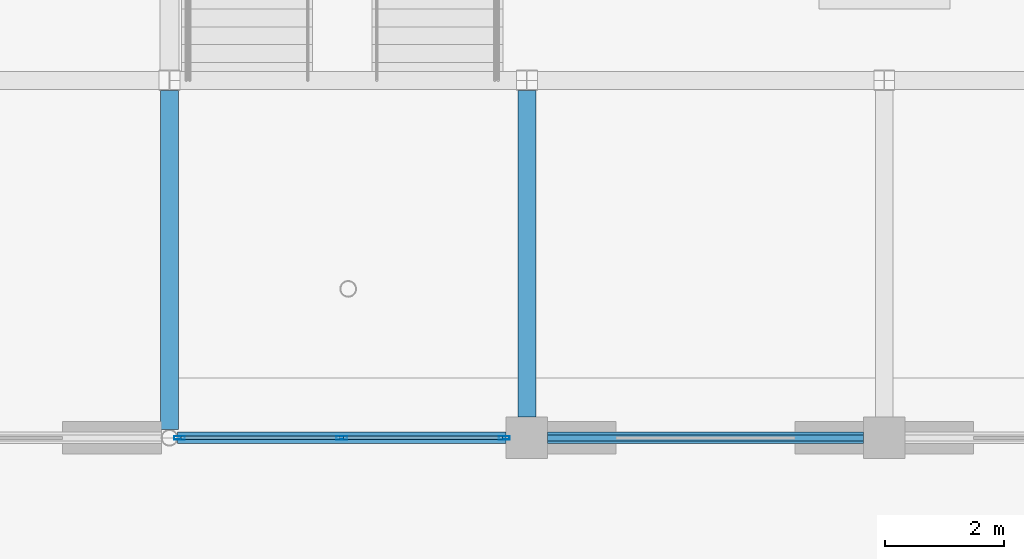
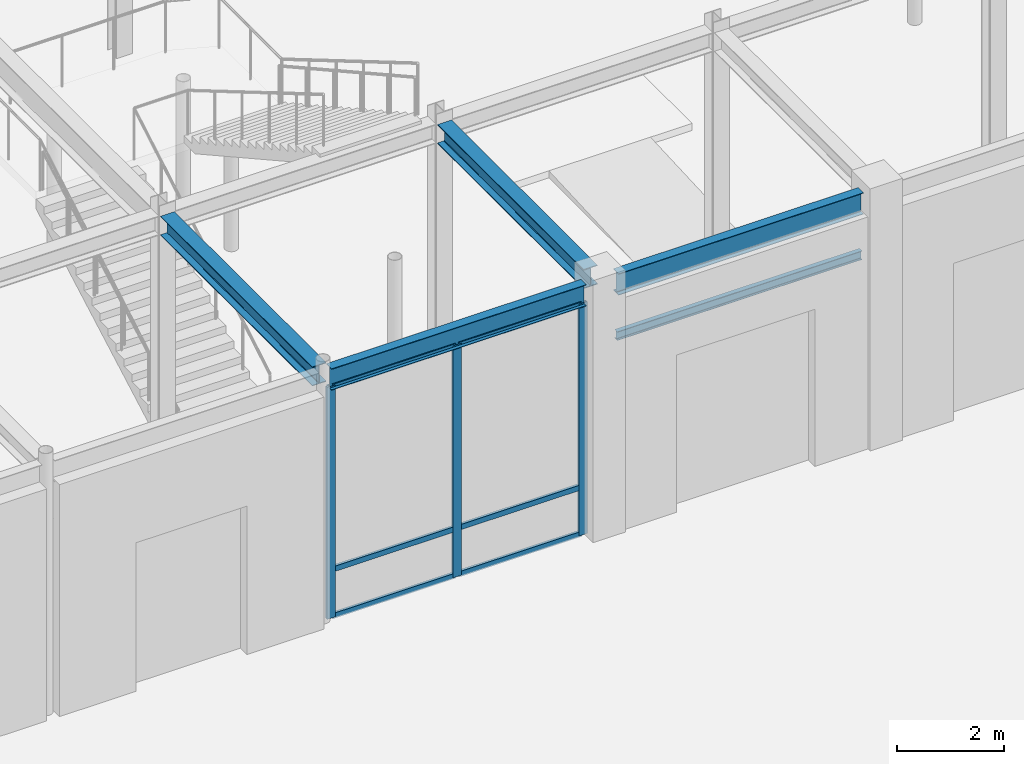
# One storey, part 30 of 51: 9 members, 5 beams, 1 element without a shape of its own.
"""IFC4 building model written with IfcOpenShell, lengths in metres."""

from ifc_helpers import new_model, si_unit, direction, frame, origin, origin_2d, place, context, subcontext, project, spatial, hollow_rectangle, i_section, extrude, material, layer, layer_set, material_profile, profile_set, type_object, element, aggregate, save


model = new_model("IFC4")

# Units and contexts
model_context = context("Model", 3, precision=1e-05, world=origin(), true_north=direction((0.0, 1.0)))
body_context = subcontext(model_context, "Body", "Model", "MODEL_VIEW")
ifc_project = project(units=[si_unit("LENGTHUNIT", "METRE"), si_unit("AREAUNIT", "SQUARE_METRE"), si_unit("VOLUMEUNIT", "CUBIC_METRE"), si_unit("PLANEANGLEUNIT", "RADIAN"), si_unit("MASSUNIT", "GRAM", prefix="KILO")], contexts=[model_context])

# Site, building, storey
site_placement = place(None, origin())
site = spatial("IfcSite", under=ifc_project, at=site_placement, CompositionType="ELEMENT")
building_placement = place(site_placement, origin())
building = spatial("IfcBuilding", under=site, at=building_placement, Name="Zlatovratsky Civic Hall", CompositionType="ELEMENT")
storey_placement = place(building_placement, origin())
storey = spatial("IfcBuildingStorey", under=building, at=storey_placement, Name="L01", CompositionType="ELEMENT", Elevation=0.0)

# Beams
ifc_material_1 = material(Name="Steel S355", Category="steel")
ifc_material_profile_1 = material_profile(ifc_material_1, i_section(OverallWidth=0.198974609375, OverallDepth=0.491943359375, WebThickness=0.0087890625, FlangeThickness=0.011962890625, FilletRadius=0.01611328125, at=origin_2d()), Name="50B1")
ifc_profile_set_1 = profile_set([ifc_material_profile_1], Name="Steel S355")
beam_type_1 = type_object("IfcBeamType", Name="Beam_Spandrel_50B1", PredefinedType="SPANDREL", material=ifc_profile_set_1)
beam_1_placement = place(storey_placement, frame((72.136474609375, 12.0, 5.513916015625), z_axis=(1.0, 0.0, 0.0), x_axis=(0.0, 1.0, 0.0)))
element("IfcBeam", 1, at=beam_1_placement, inside=storey, type_object=beam_type_1, Name="BM-0890", PredefinedType="SPANDREL", context=body_context, shape_type="SweptSolid", body=[
    extrude(i_section(OverallWidth=0.198974609375, OverallDepth=0.491943359375, WebThickness=0.0087890625, FlangeThickness=0.011962890625, FilletRadius=0.01611328125, at=origin_2d()), origin(), (0.0, 0.0, 1.0), 5.513427734375),
])
beam_2_placement = place(storey_placement, frame((78.35009765625, 12.0, 5.513916015625), z_axis=(1.0, 0.0, 0.0), x_axis=(0.0, 1.0, 0.0)))
element("IfcBeam", 2, at=beam_2_placement, inside=storey, type_object=beam_type_1, Name="BM-0891", PredefinedType="SPANDREL", context=body_context, shape_type="SweptSolid", body=[
    extrude(i_section(OverallWidth=0.198974609375, OverallDepth=0.491943359375, WebThickness=0.0087890625, FlangeThickness=0.011962890625, FilletRadius=0.01611328125, at=origin_2d()), origin(), (0.0, 0.0, 1.0), 5.2998046875),
])
ifc_material_profile_2 = material_profile(ifc_material_1, i_section(OverallWidth=0.300048828125, OverallDepth=0.43994140625, WebThickness=0.010986328125, FlangeThickness=0.01806640625, FilletRadius=0.02197265625, at=origin_2d()), Name="45Sh1")
ifc_profile_set_2 = profile_set([ifc_material_profile_2], Name="Steel S355")
beam_type_2 = type_object("IfcBeamType", Name="Beam_TowerLow_45Sh1", PredefinedType="BEAM", material=ifc_profile_set_2)
beam_3_placement = place(storey_placement, frame((72.0, 12.136474609375, 5.5400390625), z_axis=(0.0, 1.0, 0.0), x_axis=(-1.0, 0.0, 0.0)))
element("IfcBeam", 3, at=beam_3_placement, inside=storey, type_object=beam_type_2, Name="BM-1398", PredefinedType="BEAM", context=body_context, shape_type="SweptSolid", body=[
    extrude(i_section(OverallWidth=0.300048828125, OverallDepth=0.43994140625, WebThickness=0.010986328125, FlangeThickness=0.01806640625, FilletRadius=0.02197265625, at=origin_2d()), origin(), (0.0, 0.0, 1.0), 5.692138671875),
])
beam_4_placement = place(storey_placement, frame((78.0, 12.35009765625, 5.5400390625), z_axis=(0.0, 1.0, 0.0), x_axis=(-1.0, 0.0, 0.0)))
element("IfcBeam", 4, at=beam_4_placement, inside=storey, type_object=beam_type_2, Name="BM-1414", PredefinedType="BEAM", context=body_context, shape_type="SweptSolid", body=[
    extrude(i_section(OverallWidth=0.300048828125, OverallDepth=0.43994140625, WebThickness=0.010986328125, FlangeThickness=0.01806640625, FilletRadius=0.02197265625, at=origin_2d()), origin(), (0.0, 0.0, 1.0), 5.478515625),
])

# Curtain wall, members
ifc_material_2 = material(Name="Anodised bronze aluminium", Category="aluminium")
ifc_layer = layer(ifc_material_2, 0.159912109375)
ifc_layer_set = layer_set([ifc_layer], Name="Anodised bronze aluminium")
curtain_wall_type = type_object("IfcCurtainWallType", Name="CurtainWall_Bronze_5510x5310_01", PredefinedType="NOTDEFINED", material=ifc_layer_set)
curtain_wall_placement = place(storey_placement, origin())
curtain_wall = element("IfcCurtainWall", 5, at=curtain_wall_placement, inside=storey, type_object=curtain_wall_type, Name="CW-001", PredefinedType="NOTDEFINED")
ifc_material_profile_3 = material_profile(ifc_material_2, hollow_rectangle(XDim=0.06005859375, YDim=0.179931640625, WallThickness=0.00390625, at=origin_2d()), Name="ALU 60x180x4")
ifc_profile_set_3 = profile_set([ifc_material_profile_3], Name="Anodised bronze aluminium")
member_type_1 = type_object("IfcMemberType", Name="CW_Mullion_60x180", PredefinedType="MULLION", material=ifc_profile_set_3)
member_1_placement = place(storey_placement, frame((72.16650390625, 12.0, 0.0), z_axis=(0.0, 0.0, 1.0), x_axis=(0.0, 1.0, 0.0)))
member_1 = element("IfcMember", 6, at=member_1_placement, type_object=member_type_1, Name="CW-01 mullion 1", PredefinedType="MULLION", context=body_context, shape_type="SweptSolid", body=[
    extrude(hollow_rectangle(XDim=0.06005859375, YDim=0.179931640625, WallThickness=0.00390625, at=origin_2d()), origin(), (0.0, 0.0, 1.0), 5.31005859375),
])
member_2_placement = place(storey_placement, frame((74.893310546875, 12.0, 0.0), z_axis=(0.0, 0.0, 1.0), x_axis=(0.0, 1.0, 0.0)))
member_2 = element("IfcMember", 7, at=member_2_placement, type_object=member_type_1, Name="CW-01 mullion 2", PredefinedType="MULLION", context=body_context, shape_type="SweptSolid", body=[
    extrude(hollow_rectangle(XDim=0.06005859375, YDim=0.179931640625, WallThickness=0.00390625, at=origin_2d()), origin(), (0.0, 0.0, 1.0), 5.31005859375),
])
member_3_placement = place(storey_placement, frame((77.6201171875, 12.0, 0.0), z_axis=(0.0, 0.0, 1.0), x_axis=(0.0, 1.0, 0.0)))
member_3 = element("IfcMember", 8, at=member_3_placement, type_object=member_type_1, Name="CW-01 mullion 3", PredefinedType="MULLION", context=body_context, shape_type="SweptSolid", body=[
    extrude(hollow_rectangle(XDim=0.06005859375, YDim=0.179931640625, WallThickness=0.00390625, at=origin_2d()), origin(), (0.0, 0.0, 1.0), 5.31005859375),
])
ifc_material_profile_4 = material_profile(ifc_material_2, hollow_rectangle(XDim=0.06005859375, YDim=0.1201171875, WallThickness=0.00390625, at=origin_2d()), Name="ALU 60x120x4")
ifc_profile_set_4 = profile_set([ifc_material_profile_4], Name="Anodised bronze aluminium")
member_type_2 = type_object("IfcMemberType", Name="CW_Transom_60x120", PredefinedType="USERDEFINED", material=ifc_profile_set_4)
member_4_placement = place(storey_placement, frame((72.196533203125, 12.0, 0.030029296875), z_axis=(1.0, 0.0, 0.0), x_axis=(0.0, 1.0, 0.0)))
member_4 = element("IfcMember", 9, at=member_4_placement, type_object=member_type_2, Name="CW-01 transom 1.1", ObjectType="TRANSOM", PredefinedType="USERDEFINED", context=body_context, shape_type="SweptSolid", body=[
    extrude(hollow_rectangle(XDim=0.06005859375, YDim=0.1201171875, WallThickness=0.00390625, at=origin_2d()), origin(), (0.0, 0.0, 1.0), 2.666748046875),
])
member_5_placement = place(storey_placement, frame((72.196533203125, 12.0, 1.10009765625), z_axis=(1.0, 0.0, 0.0), x_axis=(0.0, 1.0, 0.0)))
member_5 = element("IfcMember", 10, at=member_5_placement, type_object=member_type_2, Name="CW-01 transom 1.2", ObjectType="TRANSOM", PredefinedType="USERDEFINED", context=body_context, shape_type="SweptSolid", body=[
    extrude(hollow_rectangle(XDim=0.06005859375, YDim=0.1201171875, WallThickness=0.00390625, at=origin_2d()), origin(), (0.0, 0.0, 1.0), 2.666748046875),
])
member_6_placement = place(storey_placement, frame((72.196533203125, 12.0, 5.280029296875), z_axis=(1.0, 0.0, 0.0), x_axis=(0.0, 1.0, 0.0)))
member_6 = element("IfcMember", 11, at=member_6_placement, type_object=member_type_2, Name="CW-01 transom 1.3", ObjectType="TRANSOM", PredefinedType="USERDEFINED", context=body_context, shape_type="SweptSolid", body=[
    extrude(hollow_rectangle(XDim=0.06005859375, YDim=0.1201171875, WallThickness=0.00390625, at=origin_2d()), origin(), (0.0, 0.0, 1.0), 2.666748046875),
])
member_7_placement = place(storey_placement, frame((74.92333984375, 12.0, 0.030029296875), z_axis=(1.0, 0.0, 0.0), x_axis=(0.0, 1.0, 0.0)))
member_7 = element("IfcMember", 12, at=member_7_placement, type_object=member_type_2, Name="CW-01 transom 2.1", ObjectType="TRANSOM", PredefinedType="USERDEFINED", context=body_context, shape_type="SweptSolid", body=[
    extrude(hollow_rectangle(XDim=0.06005859375, YDim=0.1201171875, WallThickness=0.00390625, at=origin_2d()), origin(), (0.0, 0.0, 1.0), 2.666748046875),
])
member_8_placement = place(storey_placement, frame((74.92333984375, 12.0, 1.10009765625), z_axis=(1.0, 0.0, 0.0), x_axis=(0.0, 1.0, 0.0)))
member_8 = element("IfcMember", 13, at=member_8_placement, type_object=member_type_2, Name="CW-01 transom 2.2", ObjectType="TRANSOM", PredefinedType="USERDEFINED", context=body_context, shape_type="SweptSolid", body=[
    extrude(hollow_rectangle(XDim=0.06005859375, YDim=0.1201171875, WallThickness=0.00390625, at=origin_2d()), origin(), (0.0, 0.0, 1.0), 2.666748046875),
])
member_9_placement = place(storey_placement, frame((74.92333984375, 12.0, 5.280029296875), z_axis=(1.0, 0.0, 0.0), x_axis=(0.0, 1.0, 0.0)))
member_9 = element("IfcMember", 14, at=member_9_placement, type_object=member_type_2, Name="CW-01 transom 2.3", ObjectType="TRANSOM", PredefinedType="USERDEFINED", context=body_context, shape_type="SweptSolid", body=[
    extrude(hollow_rectangle(XDim=0.06005859375, YDim=0.1201171875, WallThickness=0.00390625, at=origin_2d()), origin(), (0.0, 0.0, 1.0), 2.666748046875),
])
aggregate(curtain_wall, [member_1, member_2, member_3, member_4, member_5, member_6, member_7, member_8, member_9])

# Beam
ifc_material_profile_5 = material_profile(ifc_material_1, i_section(OverallWidth=0.10009765625, OverallDepth=0.199951171875, WebThickness=0.005615234375, FlangeThickness=0.008544921875, FilletRadius=0.011962890625, at=origin_2d()), Name="20B1")
ifc_profile_set_5 = profile_set([ifc_material_profile_5], Name="Steel S355")
beam_type_3 = type_object("IfcBeamType", Name="Lintel_Arcade_20B1", PredefinedType="LINTEL", material=ifc_profile_set_5)
beam_5_placement = place(storey_placement, frame((78.35009765625, 12.0, 4.300048828125), z_axis=(1.0, 0.0, 0.0), x_axis=(0.0, 1.0, 0.0)))
element("IfcBeam", 15, at=beam_5_placement, inside=storey, type_object=beam_type_3, Name="BM-5396", PredefinedType="LINTEL", context=body_context, shape_type="SweptSolid", body=[
    extrude(i_section(OverallWidth=0.10009765625, OverallDepth=0.199951171875, WebThickness=0.005615234375, FlangeThickness=0.008544921875, FilletRadius=0.011962890625, at=origin_2d()), origin(), (0.0, 0.0, 1.0), 5.2998046875),
])

save(model, "model.ifc")
